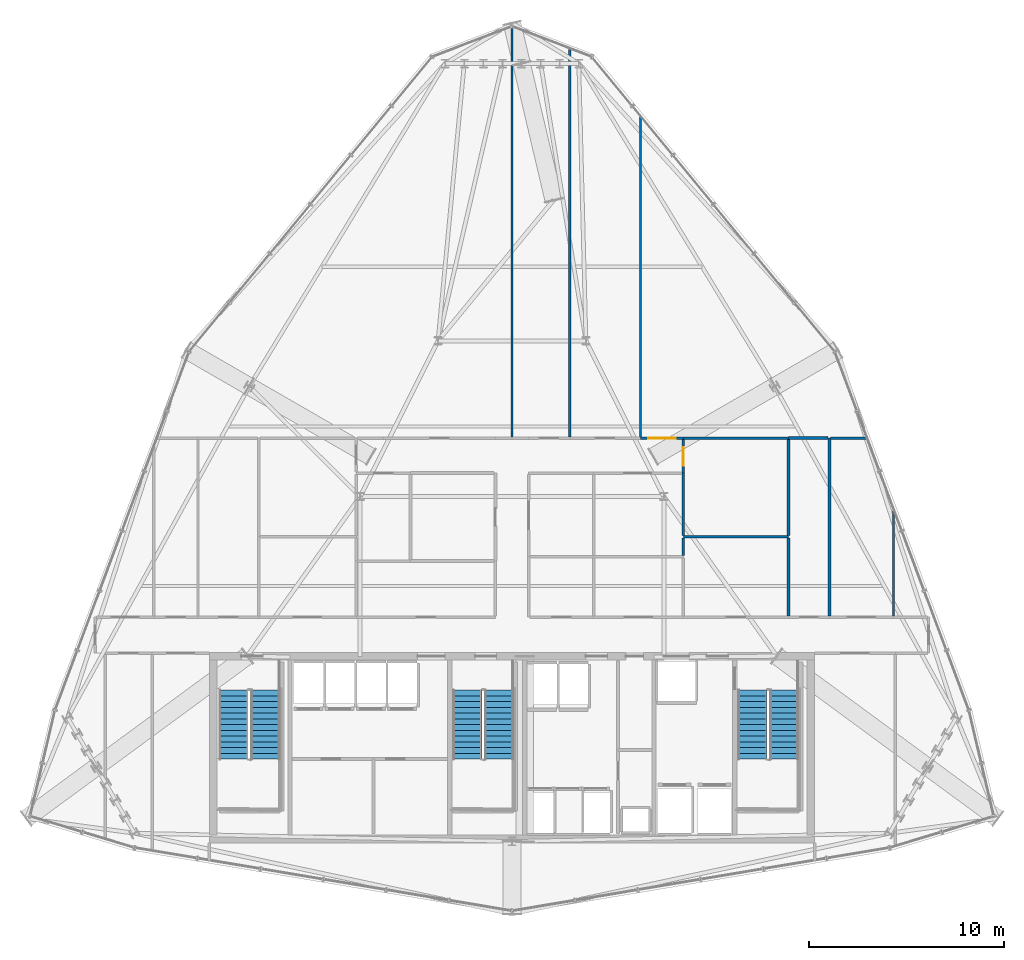
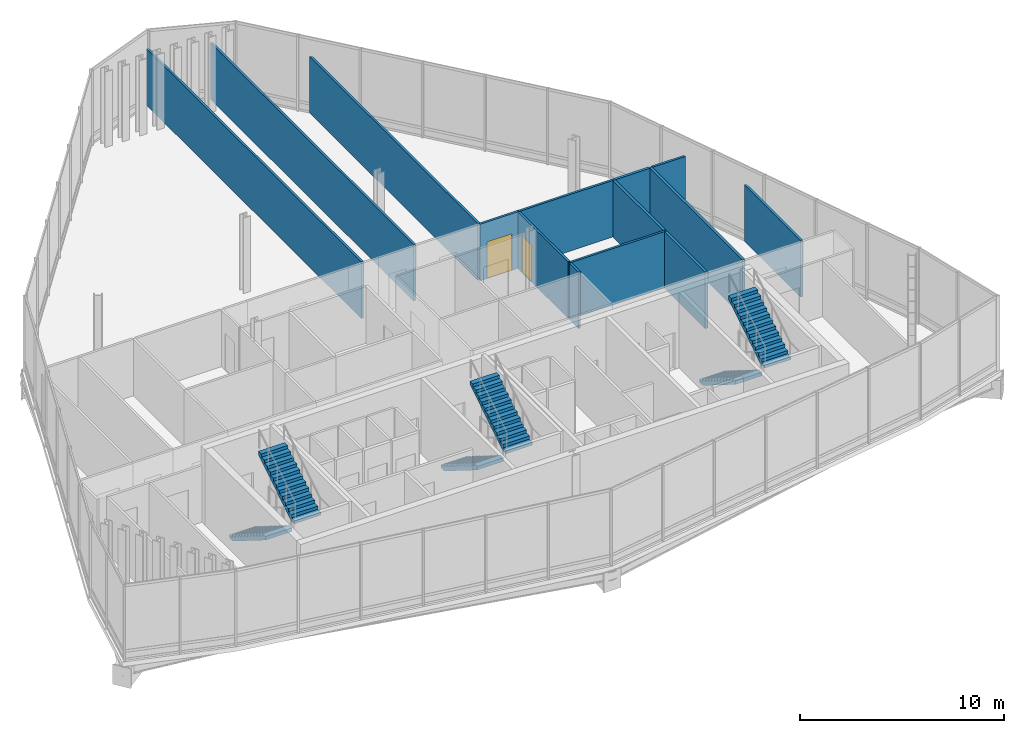
# One storey, part 26 of 29: 15 walls, 6 stair flights, 2 doors, 2 openings, 3 elements without a shape of their own.
"""IFC4 building model written with IfcOpenShell, lengths in metres."""

from ifc_helpers import new_model, si_unit, direction, frame, frame_2d, origin, place, context, subcontext, project, spatial, polyline, rectangle, outline, extrude, material, layer, layer_set, type_object, element, fill, aggregate, save


model = new_model("IFC4")

# Units and contexts
model_context = context("Model", 3, precision=1e-05, world=origin(), true_north=direction((0.0, 1.0)))
body_context = subcontext(model_context, "Body", "Model", "MODEL_VIEW")
ifc_project = project(units=[si_unit("LENGTHUNIT", "METRE"), si_unit("AREAUNIT", "SQUARE_METRE"), si_unit("VOLUMEUNIT", "CUBIC_METRE"), si_unit("PLANEANGLEUNIT", "RADIAN"), si_unit("MASSUNIT", "GRAM", prefix="KILO")], contexts=[model_context])

# Site, building, storey
site_placement = place(None, origin())
site = spatial("IfcSite", under=ifc_project, at=site_placement, CompositionType="ELEMENT")
building_placement = place(site_placement, origin())
building = spatial("IfcBuilding", under=site, at=building_placement, Name="Ndaravel Arena Tower", CompositionType="ELEMENT")
storey_placement = place(building_placement, frame((0.0, 0.0, 208.39990234375)))
storey = spatial("IfcBuildingStorey", under=building, at=storey_placement, Name="L50", CompositionType="ELEMENT", Elevation=208.39990234375)

# Wall, opening, door
ifc_material_1 = material(Name="Gypsum", Category="gypsum")
ifc_layer_1 = layer(ifc_material_1, 0.125)
ifc_layer_set_1 = layer_set([ifc_layer_1], Name="Gypsum")
wall_type_1 = type_object("IfcWallType", Name="WALL-PART-125", PredefinedType="PARTITIONING", material=ifc_layer_set_1)
wall_1_placement = place(storey_placement, frame((48.60009765625, 26.199951171875, 0.0), z_axis=(0.0, 0.0, 1.0), x_axis=(1.0, 0.0, 0.0)))
wall_1 = element("IfcWall", 1, at=wall_1_placement, inside=storey, type_object=wall_type_1, Name="L50 Interior Partition 023", PredefinedType="PARTITIONING", context=body_context, shape_type="SweptSolid", body=[
    extrude(rectangle(XDim=2.199951171875, YDim=0.125, at=frame_2d((1.10009765625, 0.0))), origin(), (0.0, 0.0, 1.0), 3.39013671875),
])
opening_1_placement = place(wall_1_placement, frame((0.39990234375, 0.0, 0.0)))
opening_1 = element("IfcOpeningElement", 2, at=opening_1_placement, cuts=wall_1, Name="Opening ID-02", PredefinedType="OPENING", context=body_context, shape_type="SweptSolid", body=[
    extrude(rectangle(XDim=1.39990234375, YDim=2.199951171875, at=frame_2d((0.699951171875, 1.10009765625))), frame((0.0, 0.0625, 0.0), z_axis=(0.0, -1.0, 0.0), x_axis=(1.0, 0.0, 0.0)), (0.0, 0.0, 1.0), 0.125),
])
ifc_material_2 = material(Name="Timber", Category="wood")
door_type_1 = type_object("IfcDoorType", Name="DT-04-SUITE-1400", OperationType="DOUBLE_DOOR_SINGLE_SWING", PredefinedType="DOOR", material=ifc_material_2)
door_1_placement = place(opening_1_placement, origin())
door_1 = element("IfcDoor", 3, at=door_1_placement, inside=storey, type_object=door_type_1, Name="L50 Visitor Reception Desk 9 Door", OperationType="SINGLE_SWING_RIGHT", OverallHeight=2.199951171875, OverallWidth=1.39990234375, PredefinedType="DOOR", context=body_context, shape_type="SweptSolid", body=[
    extrude(rectangle(XDim=1.39990234375, YDim=2.199951171875, at=frame_2d((0.699951171875, 1.10009765625))), frame((0.0, 0.02490234375, 0.0), z_axis=(0.0, -1.0, 0.0), x_axis=(1.0, 0.0, 0.0)), (0.0, 0.0, 1.0), 0.050048828125),
])
fill(opening_1, door_1)

wall_2_placement = place(storey_placement, frame((50.800048828125, 26.135009765625, 0.0), z_axis=(0.0, 0.0, 1.0), x_axis=(0.0, -1.0, 0.0)))
wall_2 = element("IfcWall", 4, at=wall_2_placement, inside=storey, type_object=wall_type_1, Name="L50 Interior Partition 024", PredefinedType="PARTITIONING", context=body_context, shape_type="SweptSolid", body=[
    extrude(rectangle(XDim=1.735107421875, YDim=0.125, at=frame_2d((0.86767578125, 0.0))), origin(), (0.0, 0.0, 1.0), 3.39013671875),
])
opening_2_placement = place(wall_2_placement, frame((0.392578125, 0.0, 0.0)))
opening_2 = element("IfcOpeningElement", 5, at=opening_2_placement, cuts=wall_2, Name="Opening ID-01", PredefinedType="OPENING", context=body_context, shape_type="SweptSolid", body=[
    extrude(rectangle(XDim=0.949951171875, YDim=2.199951171875, at=frame_2d((0.47509765625, 1.10009765625))), frame((0.0, 0.0625, 0.0), z_axis=(0.0, -1.0, 0.0), x_axis=(1.0, 0.0, 0.0)), (0.0, 0.0, 1.0), 0.125),
])
ifc_material_3 = material(Name="Timber", Category="wood")
door_type_2 = type_object("IfcDoorType", Name="DT-03-OFFICE-950", OperationType="SINGLE_SWING_LEFT", PredefinedType="DOOR", material=ifc_material_3)
door_2_placement = place(opening_2_placement, origin())
door_2 = element("IfcDoor", 6, at=door_2_placement, inside=storey, type_object=door_type_2, Name="L50 Collaborative Lounge 9 Door", OperationType="SINGLE_SWING_LEFT", OverallHeight=2.199951171875, OverallWidth=0.949951171875, PredefinedType="DOOR", context=body_context, shape_type="SweptSolid", body=[
    extrude(rectangle(XDim=0.949951171875, YDim=2.199951171875, at=frame_2d((0.47509765625, 1.10009765625))), frame((0.0, 0.02490234375, 0.0), z_axis=(0.0, -1.0, 0.0), x_axis=(1.0, 0.0, 0.0)), (0.0, 0.0, 1.0), 0.050048828125),
])
fill(opening_2, door_2)

# Walls
wall_3_placement = place(storey_placement, frame((50.800048828125, 21.139892578125, 0.0), z_axis=(0.0, 0.0, 1.0), x_axis=(1.0, 0.0, 0.0)))
element("IfcWall", 7, at=wall_3_placement, inside=storey, type_object=wall_type_1, Name="L50 Interior Partition 050", PredefinedType="PARTITIONING", context=body_context, shape_type="SweptSolid", body=[
    extrude(rectangle(XDim=5.39990234375, YDim=0.125, at=frame_2d((2.699951171875, 0.0))), origin(), (0.0, 0.0, 1.0), 3.39013671875),
])
wall_4_placement = place(storey_placement, frame((50.800048828125, 20.173095703125, 0.0), z_axis=(0.0, 0.0, 1.0), x_axis=(0.0, 1.0, 0.0)))
element("IfcWall", 8, at=wall_4_placement, inside=storey, type_object=wall_type_1, Name="L50 Interior Partition 052", PredefinedType="PARTITIONING", context=body_context, shape_type="SweptSolid", body=[
    extrude(rectangle(XDim=0.90185546875, YDim=0.125, at=frame_2d((0.450927734375, 0.0))), origin(), (0.0, 0.0, 1.0), 3.39013671875),
])
wall_5_placement = place(storey_placement, frame((61.60009765625, 22.586669921875, 0.0), z_axis=(0.0, 0.0, 1.0), x_axis=(0.0, -1.0, 0.0)))
element("IfcWall", 9, at=wall_5_placement, inside=storey, type_object=wall_type_1, Name="L50 Interior Partition 054", PredefinedType="PARTITIONING", context=body_context, shape_type="SweptSolid", body=[
    extrude(rectangle(XDim=5.521728515625, YDim=0.125, at=frame_2d((2.7607421875, 0.0))), origin(), (0.0, 0.0, 1.0), 3.39013671875),
])
wall_6_placement = place(storey_placement, frame((58.37109375, 26.199951171875, 0.0), z_axis=(0.0, 0.0, 1.0), x_axis=(1.0, 0.0, 0.0)))
element("IfcWall", 10, at=wall_6_placement, inside=storey, type_object=wall_type_1, Name="L50 Interior Partition 056", PredefinedType="PARTITIONING", context=body_context, shape_type="SweptSolid", body=[
    extrude(rectangle(XDim=1.877685546875, YDim=0.125, at=frame_2d((0.93896484375, 0.0))), origin(), (0.0, 0.0, 1.0), 3.39013671875),
])
wall_7_placement = place(storey_placement, frame((50.800048828125, 24.39990234375, 0.0), z_axis=(0.0, 0.0, 1.0), x_axis=(0.0, -1.0, 0.0)))
element("IfcWall", 11, at=wall_7_placement, inside=storey, type_object=wall_type_1, Name="L50 Interior Partition 066", PredefinedType="PARTITIONING", context=body_context, shape_type="SweptSolid", body=[
    extrude(rectangle(XDim=3.19482421875, YDim=0.125, at=frame_2d((1.597412109375, 0.0))), origin(), (0.0, 0.0, 1.0), 3.39013671875),
])
wall_8_placement = place(storey_placement, frame((50.800048828125, 26.199951171875, 0.0), z_axis=(0.0, 0.0, 1.0), x_axis=(1.0, 0.0, 0.0)))
element("IfcWall", 12, at=wall_8_placement, inside=storey, type_object=wall_type_1, Name="L50 Interior Partition 068", PredefinedType="PARTITIONING", context=body_context, shape_type="SweptSolid", body=[
    extrude(rectangle(XDim=5.39990234375, YDim=0.125, at=frame_2d((2.699951171875, 0.0))), origin(), (0.0, 0.0, 1.0), 3.39013671875),
])
wall_9_placement = place(storey_placement, frame((48.60009765625, 26.264892578125, 0.0), z_axis=(0.0, 0.0, 1.0), x_axis=(0.0, 1.0, 0.0)))
element("IfcWall", 13, at=wall_9_placement, inside=storey, type_object=wall_type_1, Name="L50 Interior Partition 069", PredefinedType="PARTITIONING", context=body_context, shape_type="SweptSolid", body=[
    extrude(rectangle(XDim=16.4951171875, YDim=0.125, at=frame_2d((8.24755859375, 0.0))), origin(), (0.0, 0.0, 1.0), 3.39013671875),
])
wall_10_placement = place(storey_placement, frame((42.0, 47.353515625, 0.0), z_axis=(0.0, 0.0, 1.0), x_axis=(0.0, -1.0, 0.0)))
element("IfcWall", 14, at=wall_10_placement, inside=storey, type_object=wall_type_1, Name="L50 Interior Partition 070", PredefinedType="PARTITIONING", context=body_context, shape_type="SweptSolid", body=[
    extrude(rectangle(XDim=21.088623046875, YDim=0.125, at=frame_2d((10.54443359375, 0.0))), origin(), (0.0, 0.0, 1.0), 3.39013671875),
])
wall_11_placement = place(storey_placement, frame((44.969970703125, 26.264892578125, 0.0), z_axis=(0.0, 0.0, 1.0), x_axis=(0.0, 1.0, 0.0)))
element("IfcWall", 15, at=wall_11_placement, inside=storey, type_object=wall_type_1, Name="L50 Interior Partition 071", PredefinedType="PARTITIONING", context=body_context, shape_type="SweptSolid", body=[
    extrude(rectangle(XDim=19.956787109375, YDim=0.125, at=frame_2d((9.978515625, 0.0))), origin(), (0.0, 0.0, 1.0), 3.39013671875),
])
ifc_material_4 = material(Name="Masonry", Category="masonry")
ifc_layer_2 = layer(ifc_material_4, 0.14990234375)
ifc_layer_set_2 = layer_set([ifc_layer_2], Name="Masonry")
wall_type_2 = type_object("IfcWallType", Name="WALL-WET-150", PredefinedType="PARTITIONING", material=ifc_layer_set_2)
wall_12_placement = place(storey_placement, frame((56.199951171875, 21.074951171875, 0.0), z_axis=(0.0, 0.0, 1.0), x_axis=(0.0, -1.0, 0.0)))
element("IfcWall", 16, at=wall_12_placement, inside=storey, type_object=wall_type_2, Name="L50 Interior Partition 051", PredefinedType="PARTITIONING", context=body_context, shape_type="SweptSolid", body=[
    extrude(rectangle(XDim=4.010009765625, YDim=0.14990234375, at=frame_2d((2.0048828125, 0.0))), origin(), (0.0, 0.0, 1.0), 3.39013671875),
])
wall_13_placement = place(storey_placement, frame((58.305908203125, 17.06494140625, 0.0), z_axis=(0.0, 0.0, 1.0), x_axis=(0.0, 1.0, 0.0)))
element("IfcWall", 17, at=wall_13_placement, inside=storey, type_object=wall_type_2, Name="L50 Interior Partition 055", PredefinedType="PARTITIONING", context=body_context, shape_type="SweptSolid", body=[
    extrude(rectangle(XDim=9.135009765625, YDim=0.14990234375, at=frame_2d((4.5673828125, 0.0))), origin(), (0.0, 0.0, 1.0), 3.39013671875),
])
wall_14_placement = place(storey_placement, frame((56.199951171875, 26.199951171875, 0.0), z_axis=(0.0, 0.0, 1.0), x_axis=(1.0, 0.0, 0.0)))
element("IfcWall", 18, at=wall_14_placement, inside=storey, type_object=wall_type_2, Name="L50 Interior Partition 061", PredefinedType="PARTITIONING", context=body_context, shape_type="SweptSolid", body=[
    extrude(rectangle(XDim=2.041015625, YDim=0.14990234375, at=frame_2d((1.0205078125, 0.0))), origin(), (0.0, 0.0, 1.0), 3.39013671875),
])
wall_15_placement = place(storey_placement, frame((56.199951171875, 21.205078125, 0.0), z_axis=(0.0, 0.0, 1.0), x_axis=(0.0, 1.0, 0.0)))
element("IfcWall", 19, at=wall_15_placement, inside=storey, type_object=wall_type_2, Name="L50 Interior Partition 062", PredefinedType="PARTITIONING", context=body_context, shape_type="SweptSolid", body=[
    extrude(rectangle(XDim=4.929931640625, YDim=0.14990234375, at=frame_2d((2.46484375, 0.0))), origin(), (0.0, 0.0, 1.0), 3.39013671875),
])

# Stair, stair flights
ifc_material_5 = material(Name="Concrete C40/50", Category="concrete")
stair_type = type_object("IfcStairType", Name="STAIR-CORE-HT", PredefinedType="HALF_TURN_STAIR", material=ifc_material_5)
stair_1_placement = place(storey_placement, origin())
stair_1 = element("IfcStair", 20, at=stair_1_placement, inside=storey, type_object=stair_type, Name="L50 ST-1", PredefinedType="HALF_TURN_STAIR")
ifc_material_6 = material(Name="Concrete C40/50", Category="concrete")
stair_flight_type = type_object("IfcStairFlightType", Name="SFLIGHT-CORE-1680", PredefinedType="STRAIGHT", material=ifc_material_6)
stair_flight_1_placement = place(storey_placement, frame((27.699951171875, 13.25, 0.0), z_axis=(0.0, 0.0, 1.0), x_axis=(0.0, -1.0, 0.0)))
stair_flight_1 = element("IfcStairFlight", 21, at=stair_flight_1_placement, type_object=stair_flight_type, Name="ST-1 flight 1", NumberOfRisers=13, NumberOfTreads=12, PredefinedType="STRAIGHT", RiserHeight=0.184615385, TreadLength=0.295, context=body_context, shape_type="SweptSolid", body=[
    extrude(outline(polyline([(0.0, 0.0), (0.0, 0.1845703125), (0.294921875, 0.1845703125), (0.294921875, 0.369140625), (0.590087890625, 0.369140625), (0.590087890625, 0.553955078125), (0.885009765625, 0.553955078125), (0.885009765625, 0.738525390625), (1.179931640625, 0.738525390625), (1.179931640625, 0.923095703125), (1.47509765625, 0.923095703125), (1.47509765625, 1.107666015625), (1.77001953125, 1.107666015625), (1.77001953125, 1.292236328125), (2.06494140625, 1.292236328125), (2.06494140625, 1.476806640625), (2.360107421875, 1.476806640625), (2.360107421875, 1.66162109375), (2.655029296875, 1.66162109375), (2.655029296875, 1.84619140625), (2.949951171875, 1.84619140625), (2.949951171875, 2.03076171875), (3.2451171875, 2.03076171875), (3.2451171875, 2.21533203125), (3.5400390625, 2.21533203125), (3.5400390625, 2.39990234375), (3.5400390625, 2.003173828125), (0.339111328125, 0.0), (0.0, 0.0)])), frame((0.0, 0.75, 0.0), z_axis=(0.0, -1.0, 0.0), x_axis=(1.0, 0.0, 0.0)), (0.0, 0.0, 1.0), 1.5),
])
stair_flight_2_placement = place(storey_placement, frame((29.340087890625, 9.7099609375, 2.400146484375), z_axis=(0.0, 0.0, 1.0), x_axis=(0.0, 1.0, 0.0)))
stair_flight_2 = element("IfcStairFlight", 22, at=stair_flight_2_placement, type_object=stair_flight_type, Name="ST-1 flight 2", NumberOfRisers=13, NumberOfTreads=12, PredefinedType="STRAIGHT", RiserHeight=0.184615385, TreadLength=0.295, context=body_context, shape_type="SweptSolid", body=[
    extrude(outline(polyline([(0.0, 0.0), (0.0, 0.1845703125), (0.294921875, 0.1845703125), (0.294921875, 0.369140625), (0.590087890625, 0.369140625), (0.590087890625, 0.553955078125), (0.885009765625, 0.553955078125), (0.885009765625, 0.738525390625), (1.179931640625, 0.738525390625), (1.179931640625, 0.923095703125), (1.47509765625, 0.923095703125), (1.47509765625, 1.107666015625), (1.77001953125, 1.107666015625), (1.77001953125, 1.292236328125), (2.06494140625, 1.292236328125), (2.06494140625, 1.476806640625), (2.360107421875, 1.476806640625), (2.360107421875, 1.66162109375), (2.655029296875, 1.66162109375), (2.655029296875, 1.84619140625), (2.949951171875, 1.84619140625), (2.949951171875, 2.03076171875), (3.2451171875, 2.03076171875), (3.2451171875, 2.21533203125), (3.5400390625, 2.21533203125), (3.5400390625, 2.39990234375), (3.5400390625, 2.003173828125), (0.339111328125, 0.0), (0.0, 0.0)])), frame((0.0, 0.75, 0.0), z_axis=(0.0, -1.0, 0.0), x_axis=(1.0, 0.0, 0.0)), (0.0, 0.0, 1.0), 1.5),
])
aggregate(stair_1, [stair_flight_1, stair_flight_2])

stair_2_placement = place(storey_placement, origin())
stair_2 = element("IfcStair", 23, at=stair_2_placement, inside=storey, type_object=stair_type, Name="L50 ST-2", PredefinedType="HALF_TURN_STAIR")
stair_flight_3_placement = place(storey_placement, frame((39.699951171875, 13.25, 0.0), z_axis=(0.0, 0.0, 1.0), x_axis=(0.0, -1.0, 0.0)))
stair_flight_3 = element("IfcStairFlight", 24, at=stair_flight_3_placement, type_object=stair_flight_type, Name="ST-2 flight 1", NumberOfRisers=13, NumberOfTreads=12, PredefinedType="STRAIGHT", RiserHeight=0.184615385, TreadLength=0.295, context=body_context, shape_type="SweptSolid", body=[
    extrude(outline(polyline([(0.0, 0.0), (0.0, 0.1845703125), (0.294921875, 0.1845703125), (0.294921875, 0.369140625), (0.590087890625, 0.369140625), (0.590087890625, 0.553955078125), (0.885009765625, 0.553955078125), (0.885009765625, 0.738525390625), (1.179931640625, 0.738525390625), (1.179931640625, 0.923095703125), (1.47509765625, 0.923095703125), (1.47509765625, 1.107666015625), (1.77001953125, 1.107666015625), (1.77001953125, 1.292236328125), (2.06494140625, 1.292236328125), (2.06494140625, 1.476806640625), (2.360107421875, 1.476806640625), (2.360107421875, 1.66162109375), (2.655029296875, 1.66162109375), (2.655029296875, 1.84619140625), (2.949951171875, 1.84619140625), (2.949951171875, 2.03076171875), (3.2451171875, 2.03076171875), (3.2451171875, 2.21533203125), (3.5400390625, 2.21533203125), (3.5400390625, 2.39990234375), (3.5400390625, 2.003173828125), (0.339111328125, 0.0), (0.0, 0.0)])), frame((0.0, 0.75, 0.0), z_axis=(0.0, -1.0, 0.0), x_axis=(1.0, 0.0, 0.0)), (0.0, 0.0, 1.0), 1.5),
])
stair_flight_4_placement = place(storey_placement, frame((41.340087890625, 9.7099609375, 2.400146484375), z_axis=(0.0, 0.0, 1.0), x_axis=(0.0, 1.0, 0.0)))
stair_flight_4 = element("IfcStairFlight", 25, at=stair_flight_4_placement, type_object=stair_flight_type, Name="ST-2 flight 2", NumberOfRisers=13, NumberOfTreads=12, PredefinedType="STRAIGHT", RiserHeight=0.184615385, TreadLength=0.295, context=body_context, shape_type="SweptSolid", body=[
    extrude(outline(polyline([(0.0, 0.0), (0.0, 0.1845703125), (0.294921875, 0.1845703125), (0.294921875, 0.369140625), (0.590087890625, 0.369140625), (0.590087890625, 0.553955078125), (0.885009765625, 0.553955078125), (0.885009765625, 0.738525390625), (1.179931640625, 0.738525390625), (1.179931640625, 0.923095703125), (1.47509765625, 0.923095703125), (1.47509765625, 1.107666015625), (1.77001953125, 1.107666015625), (1.77001953125, 1.292236328125), (2.06494140625, 1.292236328125), (2.06494140625, 1.476806640625), (2.360107421875, 1.476806640625), (2.360107421875, 1.66162109375), (2.655029296875, 1.66162109375), (2.655029296875, 1.84619140625), (2.949951171875, 1.84619140625), (2.949951171875, 2.03076171875), (3.2451171875, 2.03076171875), (3.2451171875, 2.21533203125), (3.5400390625, 2.21533203125), (3.5400390625, 2.39990234375), (3.5400390625, 2.003173828125), (0.339111328125, 0.0), (0.0, 0.0)])), frame((0.0, 0.75, 0.0), z_axis=(0.0, -1.0, 0.0), x_axis=(1.0, 0.0, 0.0)), (0.0, 0.0, 1.0), 1.5),
])
aggregate(stair_2, [stair_flight_3, stair_flight_4])

stair_3_placement = place(storey_placement, origin())
stair_3 = element("IfcStair", 26, at=stair_3_placement, inside=storey, type_object=stair_type, Name="L50 ST-3", PredefinedType="HALF_TURN_STAIR")
stair_flight_5_placement = place(storey_placement, frame((54.35009765625, 13.25, 0.0), z_axis=(0.0, 0.0, 1.0), x_axis=(0.0, -1.0, 0.0)))
stair_flight_5 = element("IfcStairFlight", 27, at=stair_flight_5_placement, type_object=stair_flight_type, Name="ST-3 flight 1", NumberOfRisers=13, NumberOfTreads=12, PredefinedType="STRAIGHT", RiserHeight=0.184615385, TreadLength=0.295, context=body_context, shape_type="SweptSolid", body=[
    extrude(outline(polyline([(0.0, 0.0), (0.0, 0.1845703125), (0.294921875, 0.1845703125), (0.294921875, 0.369140625), (0.590087890625, 0.369140625), (0.590087890625, 0.553955078125), (0.885009765625, 0.553955078125), (0.885009765625, 0.738525390625), (1.179931640625, 0.738525390625), (1.179931640625, 0.923095703125), (1.47509765625, 0.923095703125), (1.47509765625, 1.107666015625), (1.77001953125, 1.107666015625), (1.77001953125, 1.292236328125), (2.06494140625, 1.292236328125), (2.06494140625, 1.476806640625), (2.360107421875, 1.476806640625), (2.360107421875, 1.66162109375), (2.655029296875, 1.66162109375), (2.655029296875, 1.84619140625), (2.949951171875, 1.84619140625), (2.949951171875, 2.03076171875), (3.2451171875, 2.03076171875), (3.2451171875, 2.21533203125), (3.5400390625, 2.21533203125), (3.5400390625, 2.39990234375), (3.5400390625, 2.003173828125), (0.339111328125, 0.0), (0.0, 0.0)])), frame((0.0, 0.75, 0.0), z_axis=(0.0, -1.0, 0.0), x_axis=(1.0, 0.0, 0.0)), (0.0, 0.0, 1.0), 1.5),
])
stair_flight_6_placement = place(storey_placement, frame((55.989990234375, 9.7099609375, 2.400146484375), z_axis=(0.0, 0.0, 1.0), x_axis=(0.0, 1.0, 0.0)))
stair_flight_6 = element("IfcStairFlight", 28, at=stair_flight_6_placement, type_object=stair_flight_type, Name="ST-3 flight 2", NumberOfRisers=13, NumberOfTreads=12, PredefinedType="STRAIGHT", RiserHeight=0.184615385, TreadLength=0.295, context=body_context, shape_type="SweptSolid", body=[
    extrude(outline(polyline([(0.0, 0.0), (0.0, 0.1845703125), (0.294921875, 0.1845703125), (0.294921875, 0.369140625), (0.590087890625, 0.369140625), (0.590087890625, 0.553955078125), (0.885009765625, 0.553955078125), (0.885009765625, 0.738525390625), (1.179931640625, 0.738525390625), (1.179931640625, 0.923095703125), (1.47509765625, 0.923095703125), (1.47509765625, 1.107666015625), (1.77001953125, 1.107666015625), (1.77001953125, 1.292236328125), (2.06494140625, 1.292236328125), (2.06494140625, 1.476806640625), (2.360107421875, 1.476806640625), (2.360107421875, 1.66162109375), (2.655029296875, 1.66162109375), (2.655029296875, 1.84619140625), (2.949951171875, 1.84619140625), (2.949951171875, 2.03076171875), (3.2451171875, 2.03076171875), (3.2451171875, 2.21533203125), (3.5400390625, 2.21533203125), (3.5400390625, 2.39990234375), (3.5400390625, 2.003173828125), (0.339111328125, 0.0), (0.0, 0.0)])), frame((0.0, 0.75, 0.0), z_axis=(0.0, -1.0, 0.0), x_axis=(1.0, 0.0, 0.0)), (0.0, 0.0, 1.0), 1.5),
])
aggregate(stair_3, [stair_flight_5, stair_flight_6])

save(model, "model.ifc")
